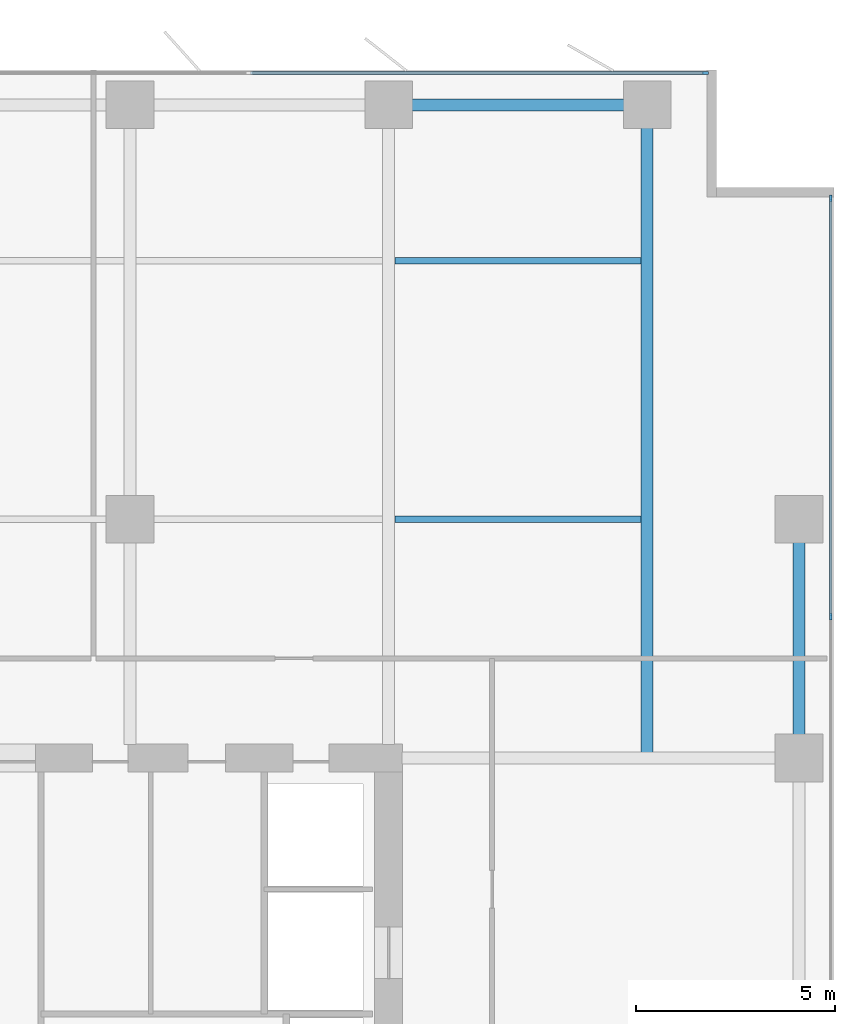
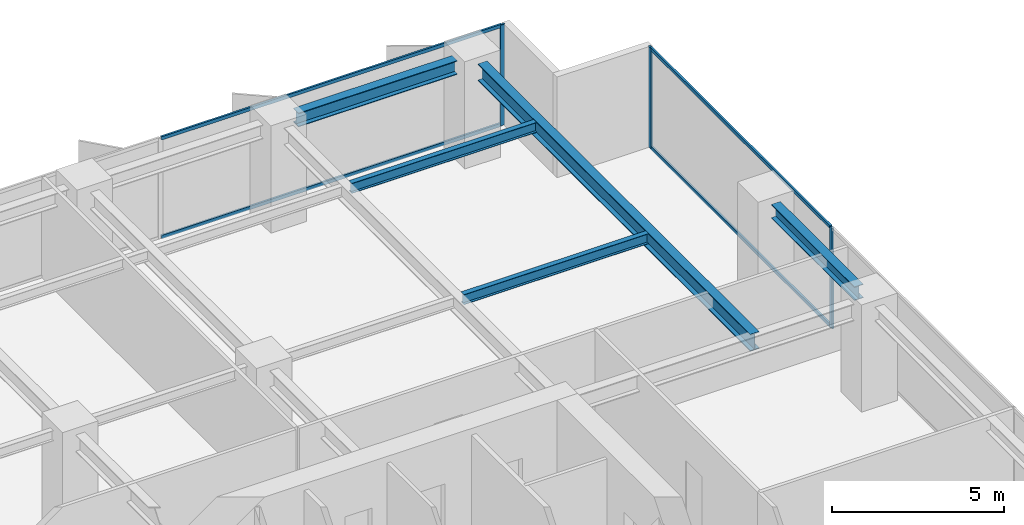
# One storey, part 11 of 20: 7 members, 5 beams, 2 elements without a shape of their own.
"""IFC4 building model written with IfcOpenShell, lengths in metres."""

from ifc_helpers import new_model, si_unit, direction, frame, origin, origin_2d, place, context, subcontext, project, spatial, rectangle, i_section, extrude, material, layer, layer_set, material_profile, profile_set, type_object, element, aggregate, save


model = new_model("IFC4")

# Units and contexts
model_context = context("Model", 3, precision=1e-05, world=origin(), true_north=direction((0.0, 1.0)))
body_context = subcontext(model_context, "Body", "Model", "MODEL_VIEW")
ifc_project = project(units=[si_unit("LENGTHUNIT", "METRE"), si_unit("AREAUNIT", "SQUARE_METRE"), si_unit("VOLUMEUNIT", "CUBIC_METRE"), si_unit("PLANEANGLEUNIT", "RADIAN"), si_unit("MASSUNIT", "GRAM", prefix="KILO")], contexts=[model_context])

# Site, building, storey
site_placement = place(None, origin())
site = spatial("IfcSite", under=ifc_project, at=site_placement, CompositionType="ELEMENT")
building_placement = place(site_placement, origin())
building = spatial("IfcBuilding", under=site, at=building_placement, Name="Putna Gate Headquarters", CompositionType="ELEMENT")
storey_placement = place(building_placement, frame((0.0, 0.0, 97.39990234375)))
storey = spatial("IfcBuildingStorey", under=building, at=storey_placement, Name="L23", CompositionType="ELEMENT", Elevation=97.39990234375)

# Beams
ifc_material_1 = material(Name="Steel S355J2", Category="steel")
ifc_material_profile_1 = material_profile(ifc_material_1, i_section(OverallWidth=0.300048828125, OverallDepth=0.60009765625, WebThickness=0.015380859375, FlangeThickness=0.030029296875, at=origin_2d()), Name="Steel S355J2")
ifc_profile_set_1 = profile_set([ifc_material_profile_1], Name="Steel S355J2")
beam_type_1 = type_object("IfcBeamType", Name="BM-GIRD-Z2-HEB600", PredefinedType="USERDEFINED", material=ifc_profile_set_1)
beam_1_placement = place(storey_placement, frame((71.5, 33.011962890625, 3.26513671875), z_axis=(0.0, 1.0, 0.0), x_axis=(-1.0, 0.0, 0.0)))
element("IfcBeam", 1, at=beam_1_placement, inside=storey, type_object=beam_type_1, Name="L23 North Primary Girder X71", ObjectType="GIRDER", PredefinedType="USERDEFINED", context=body_context, shape_type="SweptSolid", body=[
    extrude(i_section(OverallWidth=0.300048828125, OverallDepth=0.60009765625, WebThickness=0.015380859375, FlangeThickness=0.030029296875, at=origin_2d()), origin(), (0.0, 0.0, 1.0), 15.820068359375),
])
ifc_material_profile_2 = material_profile(ifc_material_1, i_section(OverallWidth=0.169921875, OverallDepth=0.360107421875, WebThickness=0.008056640625, FlangeThickness=0.0126953125, at=origin_2d()), Name="Steel S355J2")
ifc_profile_set_2 = profile_set([ifc_material_profile_2], Name="Steel S355J2")
beam_type_2 = type_object("IfcBeamType", Name="BM-SEC-Z2-IPE360", PredefinedType="BEAM", material=ifc_profile_set_2)
for number, where, z_axis, x_axis, name in (
    (2, (65.154052734375, 39.0, 3.385009765625), (1.0, 0.0, 0.0), (0.0, 1.0, 0.0), "L23 North Secondary Beam 10"),
    (3, (65.154052734375, 45.5, 3.385009765625), (1.0, 0.0, 0.0), (0.0, 1.0, 0.0), "L23 North Secondary Beam 10"),
):
    element("IfcBeam", number, at=place(storey_placement, frame(where, z_axis=z_axis, x_axis=x_axis)), inside=storey, type_object=beam_type_2, Name=name, PredefinedType="BEAM", context=body_context, shape_type="SweptSolid", body=[
        extrude(i_section(OverallWidth=0.169921875, OverallDepth=0.360107421875, WebThickness=0.008056640625, FlangeThickness=0.0126953125, at=origin_2d()), origin(), (0.0, 0.0, 1.0), 6.19189453125),
    ])
ifc_material_profile_3 = material_profile(ifc_material_1, i_section(OverallWidth=0.300048828125, OverallDepth=0.489990234375, WebThickness=0.011962890625, FlangeThickness=0.02294921875, at=origin_2d()), Name="Steel S355J2")
ifc_profile_set_3 = profile_set([ifc_material_profile_3], Name="Steel S355J2")
beam_type_3 = type_object("IfcBeamType", Name="BM-SPAN-Z2-HEA500", PredefinedType="SPANDREL", material=ifc_profile_set_3)
beam_2_placement = place(storey_placement, frame((65.587890625, 49.419921875, 3.320068359375), z_axis=(1.0, 0.0, 0.0), x_axis=(0.0, 1.0, 0.0)))
element("IfcBeam", 4, at=beam_2_placement, inside=storey, type_object=beam_type_3, Name="L23 N Perimeter Spandrel 10", PredefinedType="SPANDREL", context=body_context, shape_type="SweptSolid", body=[
    extrude(i_section(OverallWidth=0.300048828125, OverallDepth=0.489990234375, WebThickness=0.011962890625, FlangeThickness=0.02294921875, at=origin_2d()), origin(), (0.0, 0.0, 1.0), 5.32421875),
])
beam_3_placement = place(storey_placement, frame((75.320068359375, 33.587890625, 3.320068359375), z_axis=(0.0, 1.0, 0.0), x_axis=(-1.0, 0.0, 0.0)))
element("IfcBeam", 5, at=beam_3_placement, inside=storey, type_object=beam_type_3, Name="L23 E End Spandrel 3", PredefinedType="SPANDREL", context=body_context, shape_type="SweptSolid", body=[
    extrude(i_section(OverallWidth=0.300048828125, OverallDepth=0.489990234375, WebThickness=0.011962890625, FlangeThickness=0.02294921875, at=origin_2d()), origin(), (0.0, 0.0, 1.0), 4.82421875),
])

# Curtain wall, member
ifc_material_2 = material(Name="Anodised bronze aluminium curtain wall", Category="aluminium")
ifc_layer = layer(ifc_material_2, 0.159912109375)
ifc_layer_set = layer_set([ifc_layer], Name="Anodised bronze aluminium curtain wall")
curtain_wall_type = type_object("IfcCurtainWallType", Name="CW-SYS-Z2", PredefinedType="USERDEFINED", material=ifc_layer_set)
curtain_wall_1_placement = place(storey_placement, origin())
curtain_wall_1 = element("IfcCurtainWall", 6, at=curtain_wall_1_placement, inside=storey, type_object=curtain_wall_type, Name="L23 North East Curtain Wall", ObjectType="STICK CURTAIN WALL", PredefinedType="USERDEFINED")
ifc_material_3 = material(Name="Anodised bronze aluminium EN AW-6060", Category="aluminium")
ifc_material_profile_4 = material_profile(ifc_material_3, rectangle(XDim=0.06494140625, YDim=0.159912109375, at=origin_2d()), Name="Anodised bronze aluminium EN AW-6060")
ifc_profile_set_4 = profile_set([ifc_material_profile_4], Name="Anodised bronze aluminium EN AW-6060")
member_type_1 = type_object("IfcMemberType", Name="MULL-CWM-2", PredefinedType="MULLION", material=ifc_profile_set_4)
member_1_placement = place(storey_placement, frame((72.967529296875, 50.219970703125, 0.0), z_axis=(0.0, 0.0, 1.0), x_axis=(0.0, 1.0, 0.0)))
member_1 = element("IfcMember", 7, at=member_1_placement, type_object=member_type_1, Name="CWS-2 mullion 3", PredefinedType="MULLION", context=body_context, shape_type="SweptSolid", body=[
    extrude(rectangle(XDim=0.06494140625, YDim=0.159912109375, at=origin_2d()), origin(), (0.0, 0.0, 1.0), 3.565185546875),
])

# Curtain wall, members
curtain_wall_2_placement = place(storey_placement, origin())
curtain_wall_2 = element("IfcCurtainWall", 8, at=curtain_wall_2_placement, inside=storey, type_object=curtain_wall_type, Name="L23 East Curtain Wall", ObjectType="STICK CURTAIN WALL", PredefinedType="USERDEFINED")
member_2_placement = place(storey_placement, frame((76.1201171875, 36.550048828125, 0.0), z_axis=(0.0, 0.0, 1.0), x_axis=(-1.0, 0.0, 0.0)))
member_2 = element("IfcMember", 9, at=member_2_placement, type_object=member_type_1, Name="CWS-2 mullion 4", PredefinedType="MULLION", context=body_context, shape_type="SweptSolid", body=[
    extrude(rectangle(XDim=0.06494140625, YDim=0.159912109375, at=origin_2d()), origin(), (0.0, 0.0, 1.0), 3.565185546875),
])
member_3_placement = place(storey_placement, frame((76.1201171875, 47.0673828125, 0.0), z_axis=(0.0, 0.0, 1.0), x_axis=(-1.0, 0.0, 0.0)))
member_3 = element("IfcMember", 10, at=member_3_placement, type_object=member_type_1, Name="CWS-2 mullion 5", PredefinedType="MULLION", context=body_context, shape_type="SweptSolid", body=[
    extrude(rectangle(XDim=0.06494140625, YDim=0.159912109375, at=origin_2d()), origin(), (0.0, 0.0, 1.0), 3.565185546875),
])

# Member
ifc_material_profile_5 = material_profile(ifc_material_3, rectangle(XDim=0.06494140625, YDim=0.1201171875, at=origin_2d()), Name="Anodised bronze aluminium EN AW-6060")
ifc_profile_set_5 = profile_set([ifc_material_profile_5], Name="Anodised bronze aluminium EN AW-6060")
member_type_2 = type_object("IfcMemberType", Name="TRAN-CWT-2", PredefinedType="USERDEFINED", material=ifc_profile_set_5)
member_4_placement = place(storey_placement, frame((61.532470703125, 50.219970703125, 0.03271484375), z_axis=(1.0, 0.0, 0.0), x_axis=(0.0, 1.0, 0.0)))
member_4 = element("IfcMember", 11, at=member_4_placement, type_object=member_type_2, Name="CWS-2 transom 2.1", ObjectType="TRANSOM", PredefinedType="USERDEFINED", context=body_context, shape_type="SweptSolid", body=[
    extrude(rectangle(XDim=0.06494140625, YDim=0.1201171875, at=origin_2d()), origin(), (0.0, 0.0, 1.0), 11.402587890625),
])

member_5_placement = place(storey_placement, frame((61.532470703125, 50.219970703125, 3.53271484375), z_axis=(1.0, 0.0, 0.0), x_axis=(0.0, 1.0, 0.0)))
member_5 = element("IfcMember", 12, at=member_5_placement, type_object=member_type_2, Name="CWS-2 transom 2.2", ObjectType="TRANSOM", PredefinedType="USERDEFINED", context=body_context, shape_type="SweptSolid", body=[
    extrude(rectangle(XDim=0.06494140625, YDim=0.1201171875, at=origin_2d()), origin(), (0.0, 0.0, 1.0), 11.402587890625),
])

aggregate(curtain_wall_1, [member_1, member_4, member_5])

member_6_placement = place(storey_placement, frame((76.1201171875, 36.58251953125, 0.03271484375), z_axis=(0.0, 1.0, 0.0), x_axis=(-1.0, 0.0, 0.0)))
member_6 = element("IfcMember", 13, at=member_6_placement, type_object=member_type_2, Name="CWS-2 transom 4.1", ObjectType="TRANSOM", PredefinedType="USERDEFINED", context=body_context, shape_type="SweptSolid", body=[
    extrude(rectangle(XDim=0.06494140625, YDim=0.1201171875, at=origin_2d()), origin(), (0.0, 0.0, 1.0), 10.452392578125),
])

member_7_placement = place(storey_placement, frame((76.1201171875, 36.58251953125, 3.53271484375), z_axis=(0.0, 1.0, 0.0), x_axis=(-1.0, 0.0, 0.0)))
member_7 = element("IfcMember", 14, at=member_7_placement, type_object=member_type_2, Name="CWS-2 transom 4.2", ObjectType="TRANSOM", PredefinedType="USERDEFINED", context=body_context, shape_type="SweptSolid", body=[
    extrude(rectangle(XDim=0.06494140625, YDim=0.1201171875, at=origin_2d()), origin(), (0.0, 0.0, 1.0), 10.452392578125),
])

aggregate(curtain_wall_2, [member_2, member_3, member_6, member_7])

save(model, "model.ifc")
